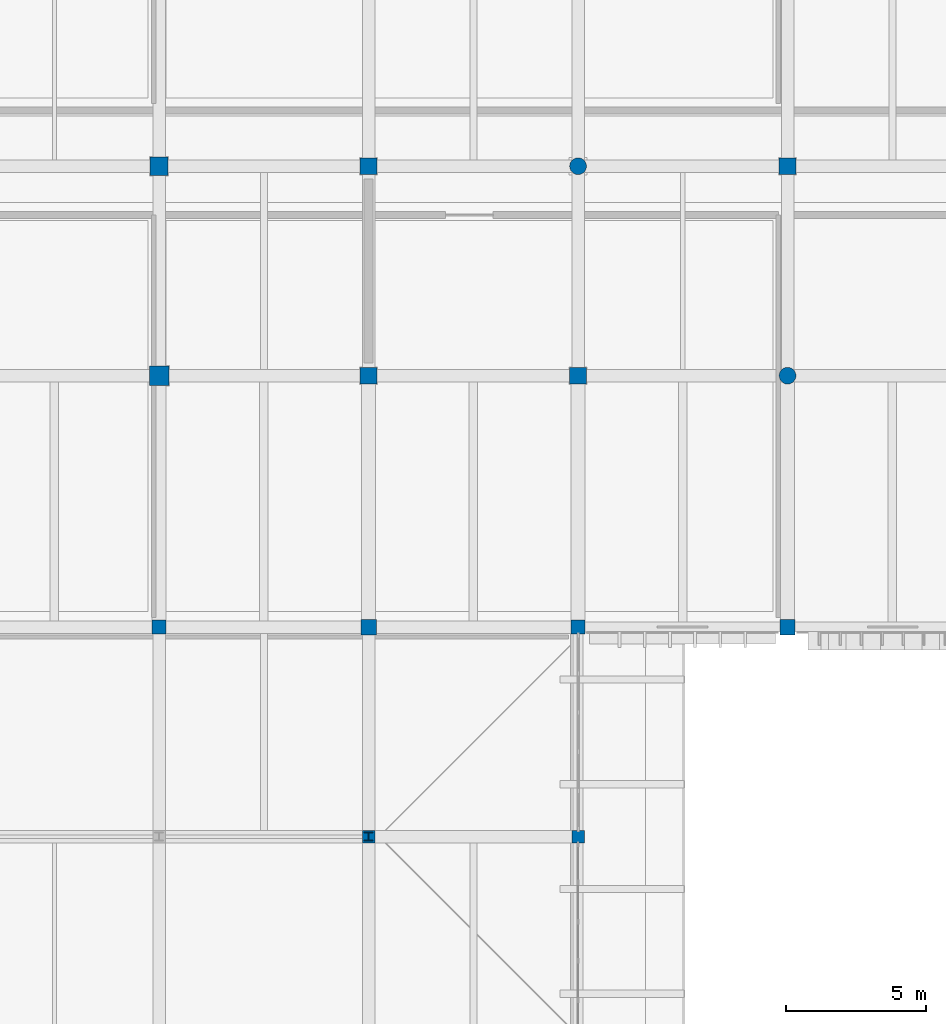
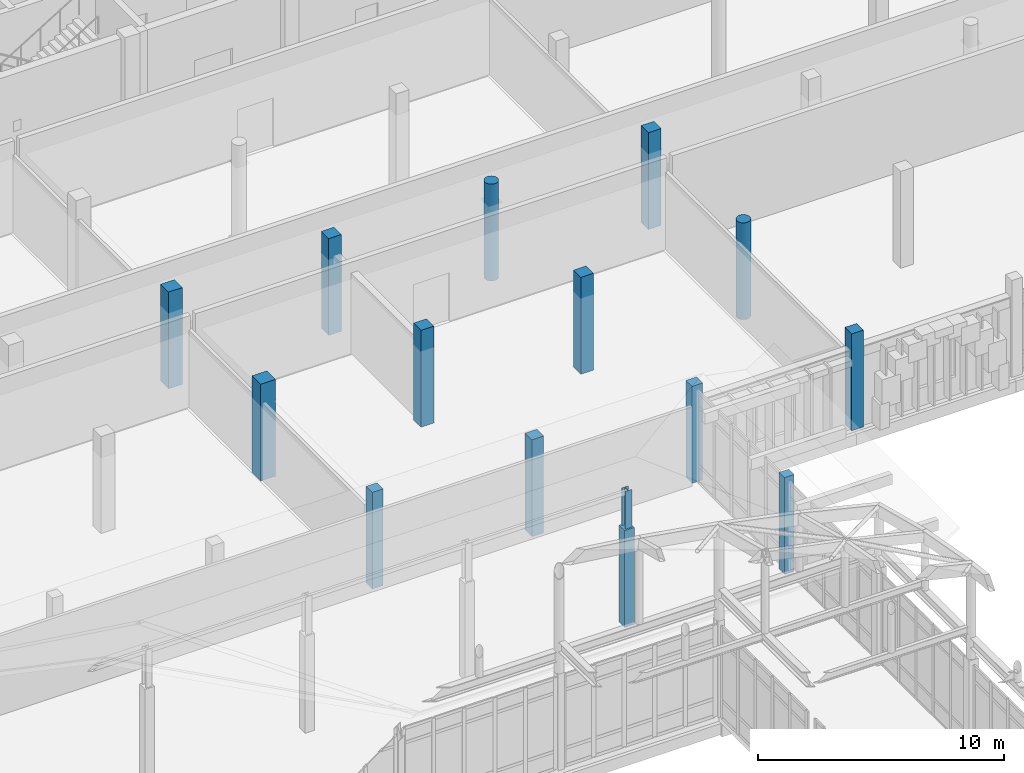
# One storey, part 9 of 131: 15 columns.
"""IFC4 building model written with IfcOpenShell, lengths in metres."""

import ifcopenshell
import ifcopenshell.guid

model = None  # the IFC model being written
_history = None  # IfcOwnerHistory: only IFC2X3 demands one
_inside = {}  # id of a spatial element -> (the spatial element, [elements in it])
_under = {}  # id of a project, library or spatial element -> (it, [spatial elements below it])
_declared = {}  # id of a project -> (the project, [libraries it declares])
_typed = {}  # id of a type object -> (the type object, [elements of that type])
_made_of = {}  # id of a material, layer set ... -> (it, [elements and type objects made of it])


def new_model(schema):
    """Start an empty IFC model of exactly this schema.

    Asked for "IFC4X3", IfcOpenShell would pick the latest addendum, in which some entities
    have other attributes; the version numbers below select the first issue.
    IFC2X3 requires an IfcOwnerHistory on every rooted entity: one is made here for all.
    """
    global model, _history
    if schema == "IFC4X3":
        model = ifcopenshell.file(schema_version=(4, 3, 0, 0))
    else:
        model = ifcopenshell.file(schema=schema)
    _inside.clear()
    _under.clear()
    _declared.clear()
    _typed.clear()
    _made_of.clear()
    _history = None
    if model.schema == "IFC2X3":
        org = make("IfcOrganization", Name="unknown")
        user = make(
            "IfcPersonAndOrganization",
            ThePerson=make("IfcPerson", FamilyName="unknown"),
            TheOrganization=org,
        )
        app = make(
            "IfcApplication",
            ApplicationDeveloper=org,
            Version="unknown",
            ApplicationFullName="unknown",
            ApplicationIdentifier="unknown",
        )
        _history = make(
            "IfcOwnerHistory",
            OwningUser=user,
            OwningApplication=app,
            ChangeAction="ADDED",
            CreationDate=0,
        )
    return model


def make(cls, **values):
    """One entity of the class cls with the attributes given. An attribute that is None is left unset."""
    return model.create_entity(
        cls, **{name: value for name, value in values.items() if value is not None}
    )


def rooted(cls, **values):
    """An entity with a GlobalId (a new one), such as an element, a storey or a relation."""
    return make(cls, GlobalId=ifcopenshell.guid.new(), OwnerHistory=_history, **values)


def si_unit(unit_type, name, prefix=None):
    """IfcSIUnit, for example si_unit("LENGTHUNIT", "METRE", prefix="MILLI")."""
    return make("IfcSIUnit", UnitType=unit_type, Prefix=prefix, Name=name)


def assignment(units):
    """IfcUnitAssignment: the units of a project."""
    return None if units is None else make("IfcUnitAssignment", Units=units)


def point(xyz):
    """IfcCartesianPoint."""
    return None if xyz is None else make("IfcCartesianPoint", Coordinates=xyz)


def direction(xyz):
    """IfcDirection."""
    return None if xyz is None else make("IfcDirection", DirectionRatios=xyz)


def frame(location, z_axis=None, x_axis=None):
    """IfcAxis2Placement3D, a coordinate frame: its origin and axes. An axis left out is left unset."""
    return make(
        "IfcAxis2Placement3D",
        Location=point(location),
        Axis=direction(z_axis),
        RefDirection=direction(x_axis),
    )


def frame_2d(location, x_axis=None):
    """IfcAxis2Placement2D, a coordinate frame in the plane: its origin and x axis."""
    return make(
        "IfcAxis2Placement2D", Location=point(location), RefDirection=direction(x_axis)
    )


def origin():
    """The frame at (0, 0, 0) with its axes left unset."""
    return frame((0.0, 0.0, 0.0))


def origin_2d():
    """The frame at (0, 0) in the plane with its x axis left unset."""
    return frame_2d((0.0, 0.0))


def place(relative_to, where):
    """IfcLocalPlacement: puts the frame where relative to a parent placement (None: the world)."""
    return make(
        "IfcLocalPlacement", PlacementRelTo=relative_to, RelativePlacement=where
    )


def context(
    kind, dimensions, precision=None, world=None, true_north=None, identifier=None
):
    """IfcGeometricRepresentationContext, for example the 3D "Model" context."""
    return make(
        "IfcGeometricRepresentationContext",
        ContextIdentifier=identifier,
        ContextType=kind,
        CoordinateSpaceDimension=dimensions,
        Precision=precision,
        WorldCoordinateSystem=world,
        TrueNorth=true_north,
    )


def subcontext(parent, identifier, kind, view, scale=None):
    """IfcGeometricRepresentationSubContext, for example "Body" below "Model"."""
    return make(
        "IfcGeometricRepresentationSubContext",
        ContextIdentifier=identifier,
        ContextType=kind,
        ParentContext=parent,
        TargetScale=scale,
        TargetView=view,
    )


def project(units=None, contexts=None):
    """IfcProject with its units and contexts."""
    return rooted(
        "IfcProject",
        Name="project",
        RepresentationContexts=contexts,
        UnitsInContext=assignment(units),
    )


def spatial(cls, under=None, at=None, **own):
    """A site, building, storey or space (cls), placed at a placement, below another one or the project."""
    s = rooted(cls, ObjectPlacement=at, **own)
    if under is not None:
        _under.setdefault(under.id(), (under, []))[1].append(s)
    return s


def profile(cls, at=None, kind="AREA", **sizes):
    """A parametric profile (cls). Its sizes go by their IFC names, for example OverallWidth=200.0."""
    return make(cls, ProfileType=kind, Position=at, **sizes)


def rectangle(**sizes):
    """IfcRectangleProfileDef."""
    return profile("IfcRectangleProfileDef", **sizes)


def circle(**sizes):
    """IfcCircleProfileDef."""
    return profile("IfcCircleProfileDef", **sizes)


def i_section(**sizes):
    """IfcIShapeProfileDef."""
    return profile("IfcIShapeProfileDef", **sizes)


def extrude(swept, where, along, depth):
    """IfcExtrudedAreaSolid: the profile swept, set in the frame where, extruded along a direction by depth."""
    return make(
        "IfcExtrudedAreaSolid",
        SweptArea=swept,
        Position=where,
        ExtrudedDirection=direction(along),
        Depth=depth,
    )


def shape(context_of_items, identifier, shape_type, items):
    """IfcShapeRepresentation: the items that make up one representation, for example the "Body"."""
    return make(
        "IfcShapeRepresentation",
        ContextOfItems=context_of_items,
        RepresentationIdentifier=identifier,
        RepresentationType=shape_type,
        Items=items,
    )


def material(Name=None, Category=None):
    """IfcMaterial."""
    return make("IfcMaterial", Name=Name, Category=Category)


def material_profile(
    of_material, cross_section, Name=None, Category=None, Priority=None
):
    """IfcMaterialProfile: a cross section and its material."""
    return make(
        "IfcMaterialProfile",
        Name=Name,
        Material=of_material,
        Profile=cross_section,
        Priority=Priority,
        Category=Category,
    )


def profile_set(profiles, Name=None, composite=None):
    """IfcMaterialProfileSet."""
    return make(
        "IfcMaterialProfileSet",
        Name=Name,
        MaterialProfiles=profiles,
        CompositeProfile=composite,
    )


def made_of(thing, what):
    """Note that an element or type object is made of a material, layer set ...; save() writes the relation."""
    if what is not None:
        _made_of.setdefault(what.id(), (what, []))[1].append(thing)
    return thing


def type_object(cls, material=None, **own):
    """A type object (cls), such as IfcWallType, which elements share."""
    return made_of(rooted(cls, **own), material)


def element(
    cls,
    number,
    at=None,
    inside=None,
    cuts=None,
    type_object=None,
    material=None,
    context=None,
    identifier="Body",
    shape_type=None,
    held_by="IfcProductDefinitionShape",
    body=None,
    shapes=None,
    **own,
):
    """One element of the class cls, such as IfcWall. Its Tag is "e" and its number.

    at: its placement. inside: the storey or other place that contains it. cuts: it is an
    opening in that element (IfcRelVoidsElement). A single representation is given by context,
    identifier, shape_type and body (its items); several are given by shapes. held_by: the class
    of the entity that holds the representations. save() writes the other relations.
    """
    e = rooted(cls, Tag="e%d" % number, ObjectPlacement=at, **own)
    if body is not None:
        shapes = [shape(context, identifier, shape_type, body)]
    if shapes is not None:
        e.Representation = make(held_by, Representations=shapes)
    if inside is not None:
        _inside.setdefault(inside.id(), (inside, []))[1].append(e)
    if cuts is not None:
        rooted(
            "IfcRelVoidsElement", RelatingBuildingElement=cuts, RelatedOpeningElement=e
        )
    if type_object is not None:
        _typed.setdefault(type_object.id(), (type_object, []))[1].append(e)
    return made_of(e, material)


def aggregate(whole, parts):
    """IfcRelAggregates: a whole, such as a stair, and the parts it consists of."""
    return rooted("IfcRelAggregates", RelatingObject=whole, RelatedObjects=parts)


def save(model, path):
    """Write the relations noted so far, then the file.

    IfcRelAggregates (storeys below a building ...), IfcRelContainedInSpatialStructure (elements
    in a storey), IfcRelDefinesByType, IfcRelAssociatesMaterial and IfcRelDeclares: one each for
    every whole, place, type object, material and project.
    """
    for whole, parts in _under.values():
        aggregate(whole, parts)
    for where, things in _inside.values():
        rooted(
            "IfcRelContainedInSpatialStructure",
            RelatedElements=things,
            RelatingStructure=where,
        )
    for kind, things in _typed.values():
        rooted("IfcRelDefinesByType", RelatedObjects=things, RelatingType=kind)
    for what, things in _made_of.values():
        rooted("IfcRelAssociatesMaterial", RelatedObjects=things, RelatingMaterial=what)
    for by, libraries in _declared.values():
        rooted("IfcRelDeclares", RelatingContext=by, RelatedDefinitions=libraries)
    model.write(path)


model = new_model("IFC4")

# Units and contexts
model_context = context("Model", 3, precision=1e-05, world=origin(), true_north=direction((0.0, 1.0)))
body_context = subcontext(model_context, "Body", "Model", "MODEL_VIEW")
ifc_project = project(units=[si_unit("LENGTHUNIT", "METRE"), si_unit("AREAUNIT", "SQUARE_METRE"), si_unit("VOLUMEUNIT", "CUBIC_METRE"), si_unit("PLANEANGLEUNIT", "RADIAN"), si_unit("MASSUNIT", "GRAM", prefix="KILO")], contexts=[model_context])

# Site, building, storey
site_placement = place(None, origin())
site = spatial("IfcSite", under=ifc_project, at=site_placement, CompositionType="ELEMENT")
building_placement = place(site_placement, origin())
building = spatial("IfcBuilding", under=site, at=building_placement, Name="Dalvernix Boulevard General Hospital", CompositionType="ELEMENT")
storey_placement = place(building_placement, frame((0.0, 0.0, 9.300048828125)))
storey = spatial("IfcBuildingStorey", under=building, at=storey_placement, Name="L02", CompositionType="ELEMENT", Elevation=9.300048828125)

# Columns
ifc_material_1 = material(Name="Concrete C40/50", Category="concrete")
ifc_material_profile_1 = material_profile(ifc_material_1, rectangle(XDim=0.699951171875, YDim=0.699951171875, at=origin_2d()), Name="RC 700x700")
ifc_profile_set_1 = profile_set([ifc_material_profile_1], Name="Concrete C40/50")
column_type_1 = type_object("IfcColumnType", Name="COL-C-05-I", PredefinedType="COLUMN", material=ifc_profile_set_1)
column_1_placement = place(storey_placement, frame((97.5, 85.5, 0.0), z_axis=(0.0, 0.0, 1.0), x_axis=(1.0, 0.0, 0.0)))
element("IfcColumn", 1, at=column_1_placement, inside=storey, type_object=column_type_1, Name="L02 column 14M", PredefinedType="COLUMN", context=body_context, shape_type="SweptSolid", body=[
    extrude(rectangle(XDim=0.699951171875, YDim=0.699951171875, at=origin_2d()), origin(), (0.0, 0.0, 1.0), 4.800048828125),
])
ifc_material_profile_2 = material_profile(ifc_material_1, rectangle(XDim=0.64990234375, YDim=0.64990234375, at=origin_2d()), Name="RC 650x650")
ifc_profile_set_2 = profile_set([ifc_material_profile_2], Name="Concrete C40/50")
column_type_2 = type_object("IfcColumnType", Name="COL-C-06-I", PredefinedType="COLUMN", material=ifc_profile_set_2)
column_2_placement = place(storey_placement, frame((97.5, 93.0, 0.0), z_axis=(0.0, 0.0, 1.0), x_axis=(1.0, 0.0, 0.0)))
element("IfcColumn", 2, at=column_2_placement, inside=storey, type_object=column_type_2, Name="L02 column 14N", PredefinedType="COLUMN", context=body_context, shape_type="SweptSolid", body=[
    extrude(rectangle(XDim=0.64990234375, YDim=0.64990234375, at=origin_2d()), origin(), (0.0, 0.0, 1.0), 4.800048828125),
])
ifc_material_profile_3 = material_profile(ifc_material_1, rectangle(XDim=0.60009765625, YDim=0.60009765625, at=origin_2d()), Name="RC 600x600")
ifc_profile_set_3 = profile_set([ifc_material_profile_3], Name="Concrete C40/50")
column_type_3 = type_object("IfcColumnType", Name="COL-C-07-I", PredefinedType="COLUMN", material=ifc_profile_set_3)
for number, where, z_axis, x_axis, name in (
    (3, (105.0, 85.5, 0.0), (0.0, 0.0, 1.0), (1.0, 0.0, 0.0), "L02 column 15M"),
    (4, (105.0, 93.0, 0.0), (0.0, 0.0, 1.0), (1.0, 0.0, 0.0), "L02 column 15N"),
    (5, (112.5, 85.5, 0.0), (0.0, 0.0, 1.0), (1.0, 0.0, 0.0), "L02 column 16M"),
    (6, (120.0, 93.0, 0.0), (0.0, 0.0, 1.0), (1.0, 0.0, 0.0), "L02 column 17N"),
):
    element("IfcColumn", number, at=place(storey_placement, frame(where, z_axis=z_axis, x_axis=x_axis)), inside=storey, type_object=column_type_3, Name=name, PredefinedType="COLUMN", context=body_context, shape_type="SweptSolid", body=[
        extrude(rectangle(XDim=0.60009765625, YDim=0.60009765625, at=origin_2d()), origin(), (0.0, 0.0, 1.0), 4.800048828125),
    ])
ifc_material_profile_4 = material_profile(ifc_material_1, rectangle(XDim=0.550048828125, YDim=0.550048828125, at=origin_2d()), Name="RC 550x550")
ifc_profile_set_4 = profile_set([ifc_material_profile_4], Name="Concrete C40/50")
column_type_4 = type_object("IfcColumnType", Name="COL-C-08-E", PredefinedType="COLUMN", material=ifc_profile_set_4)
column_3_placement = place(storey_placement, frame((120.0, 76.5, 0.0), z_axis=(0.0, 0.0, 1.0), x_axis=(1.0, 0.0, 0.0)))
element("IfcColumn", 7, at=column_3_placement, inside=storey, type_object=column_type_4, Name="L02 column 17L", PredefinedType="COLUMN", context=body_context, shape_type="SweptSolid", body=[
    extrude(rectangle(XDim=0.550048828125, YDim=0.550048828125, at=origin_2d()), origin(), (0.0, 0.0, 1.0), 4.800048828125),
])
ifc_material_profile_5 = material_profile(ifc_material_1, rectangle(XDim=0.550048828125, YDim=0.550048828125, at=origin_2d()), Name="RC 550x550")
ifc_profile_set_5 = profile_set([ifc_material_profile_5], Name="Concrete C40/50")
column_type_5 = type_object("IfcColumnType", Name="COL-C-08-I", PredefinedType="COLUMN", material=ifc_profile_set_5)
column_4_placement = place(storey_placement, frame((105.0, 76.5, 0.0), z_axis=(0.0, 0.0, 1.0), x_axis=(1.0, 0.0, 0.0)))
element("IfcColumn", 8, at=column_4_placement, inside=storey, type_object=column_type_5, Name="L02 column 15L", PredefinedType="COLUMN", context=body_context, shape_type="SweptSolid", body=[
    extrude(rectangle(XDim=0.550048828125, YDim=0.550048828125, at=origin_2d()), origin(), (0.0, 0.0, 1.0), 4.800048828125),
])
ifc_material_profile_6 = material_profile(ifc_material_1, rectangle(XDim=0.5, YDim=0.5, at=origin_2d()), Name="RC 500x500")
ifc_profile_set_6 = profile_set([ifc_material_profile_6], Name="Concrete C40/50")
column_type_6 = type_object("IfcColumnType", Name="COL-C-09-E", PredefinedType="COLUMN", material=ifc_profile_set_6)
column_5_placement = place(storey_placement, frame((112.5, 76.5, 0.0), z_axis=(0.0, 0.0, 1.0), x_axis=(1.0, 0.0, 0.0)))
element("IfcColumn", 9, at=column_5_placement, inside=storey, type_object=column_type_6, Name="L02 column 16L", PredefinedType="COLUMN", context=body_context, shape_type="SweptSolid", body=[
    extrude(rectangle(XDim=0.5, YDim=0.5, at=origin_2d()), origin(), (0.0, 0.0, 1.0), 4.800048828125),
])
ifc_material_profile_7 = material_profile(ifc_material_1, rectangle(XDim=0.5, YDim=0.5, at=origin_2d()), Name="RC 500x500")
ifc_profile_set_7 = profile_set([ifc_material_profile_7], Name="Concrete C40/50")
column_type_7 = type_object("IfcColumnType", Name="COL-C-09-I", PredefinedType="COLUMN", material=ifc_profile_set_7)
column_6_placement = place(storey_placement, frame((97.5, 76.5, 0.0), z_axis=(0.0, 0.0, 1.0), x_axis=(1.0, 0.0, 0.0)))
element("IfcColumn", 10, at=column_6_placement, inside=storey, type_object=column_type_7, Name="L02 column 14L", PredefinedType="COLUMN", context=body_context, shape_type="SweptSolid", body=[
    extrude(rectangle(XDim=0.5, YDim=0.5, at=origin_2d()), origin(), (0.0, 0.0, 1.0), 4.800048828125),
])
ifc_material_profile_8 = material_profile(ifc_material_1, rectangle(XDim=0.449951171875, YDim=0.449951171875, at=origin_2d()), Name="RC 450x450")
ifc_profile_set_8 = profile_set([ifc_material_profile_8], Name="Concrete C40/50")
column_type_8 = type_object("IfcColumnType", Name="COL-C-10-E", PredefinedType="COLUMN", material=ifc_profile_set_8)
column_7_placement = place(storey_placement, frame((112.5, 69.0, 0.0), z_axis=(0.0, 0.0, 1.0), x_axis=(1.0, 0.0, 0.0)))
element("IfcColumn", 11, at=column_7_placement, inside=storey, type_object=column_type_8, Name="L02 column 16K", PredefinedType="COLUMN", context=body_context, shape_type="SweptSolid", body=[
    extrude(rectangle(XDim=0.449951171875, YDim=0.449951171875, at=origin_2d()), origin(), (0.0, 0.0, 1.0), 4.800048828125),
])
ifc_material_profile_9 = material_profile(ifc_material_1, rectangle(XDim=0.449951171875, YDim=0.449951171875, at=origin_2d()), Name="RC 450x450")
ifc_profile_set_9 = profile_set([ifc_material_profile_9], Name="Concrete C40/50")
column_type_9 = type_object("IfcColumnType", Name="COL-C-10-I", PredefinedType="COLUMN", material=ifc_profile_set_9)
column_8_placement = place(storey_placement, frame((105.0, 69.0, 0.0), z_axis=(0.0, 0.0, 1.0), x_axis=(1.0, 0.0, 0.0)))
element("IfcColumn", 12, at=column_8_placement, inside=storey, type_object=column_type_9, Name="L02 column 15K", PredefinedType="COLUMN", context=body_context, shape_type="SweptSolid", body=[
    extrude(rectangle(XDim=0.449951171875, YDim=0.449951171875, at=origin_2d()), origin(), (0.0, 0.0, 1.0), 4.800048828125),
])
ifc_material_profile_10 = material_profile(ifc_material_1, circle(Radius=0.300048828125, at=origin_2d()), Name="RC D600")
ifc_profile_set_10 = profile_set([ifc_material_profile_10], Name="Concrete C40/50")
column_type_10 = type_object("IfcColumnType", Name="COL-C-15-I", PredefinedType="COLUMN", material=ifc_profile_set_10)
for number, where, z_axis, x_axis, name in (
    (13, (112.5, 93.0, 0.0), (0.0, 0.0, 1.0), (1.0, 0.0, 0.0), "L02 column 16N"),
    (14, (120.0, 85.5, 0.0), (0.0, 0.0, 1.0), (1.0, 0.0, 0.0), "L02 column 17M"),
):
    element("IfcColumn", number, at=place(storey_placement, frame(where, z_axis=z_axis, x_axis=x_axis)), inside=storey, type_object=column_type_10, Name=name, PredefinedType="COLUMN", context=body_context, shape_type="SweptSolid", body=[
        extrude(circle(Radius=0.300048828125, at=origin_2d()), origin(), (0.0, 0.0, 1.0), 4.800048828125),
    ])
ifc_material_2 = material(Name="Steel S355", Category="steel")
ifc_material_profile_11 = material_profile(ifc_material_2, i_section(OverallWidth=0.300048828125, OverallDepth=0.300048828125, WebThickness=0.010986328125, FlangeThickness=0.01904296875, FilletRadius=0.027099609375, at=origin_2d()), Name="HEB 300")
ifc_profile_set_11 = profile_set([ifc_material_profile_11], Name="Steel S355")
column_type_11 = type_object("IfcColumnType", Name="COL-C-18", PredefinedType="COLUMN", material=ifc_profile_set_11)
column_9_placement = place(storey_placement, frame((105.0, 69.0, 4.800048828125), z_axis=(0.0, 0.0, 1.0), x_axis=(1.0, 0.0, 0.0)))
element("IfcColumn", 15, at=column_9_placement, inside=storey, type_object=column_type_11, Name="V1N roof king post 15K", PredefinedType="COLUMN", context=body_context, shape_type="SweptSolid", body=[
    extrude(i_section(OverallWidth=0.300048828125, OverallDepth=0.300048828125, WebThickness=0.010986328125, FlangeThickness=0.01904296875, FilletRadius=0.027099609375, at=origin_2d()), origin(), (0.0, 0.0, 1.0), 1.87158203125),
])

save(model, "model.ifc")
